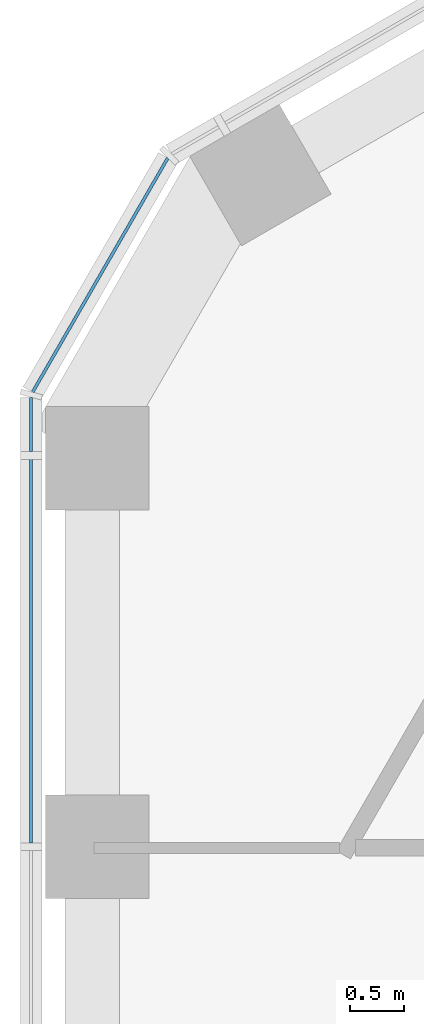
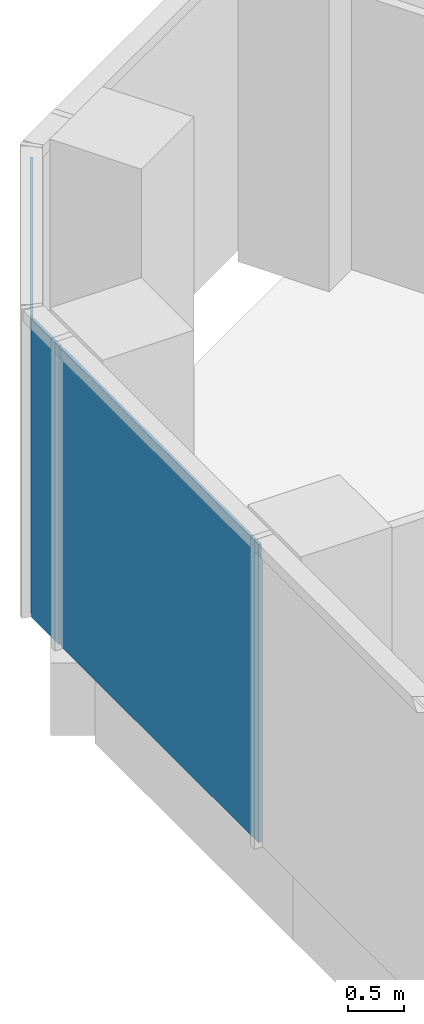
# One storey, part 10 of 18: 3 plates, 2 elements without a shape of their own.
"""IFC4 building model written with IfcOpenShell, lengths in metres."""

import ifcopenshell
import ifcopenshell.guid

model = None  # the IFC model being written
_history = None  # IfcOwnerHistory: only IFC2X3 demands one
_inside = {}  # id of a spatial element -> (the spatial element, [elements in it])
_under = {}  # id of a project, library or spatial element -> (it, [spatial elements below it])
_declared = {}  # id of a project -> (the project, [libraries it declares])
_typed = {}  # id of a type object -> (the type object, [elements of that type])
_made_of = {}  # id of a material, layer set ... -> (it, [elements and type objects made of it])


def new_model(schema):
    """Start an empty IFC model of exactly this schema.

    Asked for "IFC4X3", IfcOpenShell would pick the latest addendum, in which some entities
    have other attributes; the version numbers below select the first issue.
    IFC2X3 requires an IfcOwnerHistory on every rooted entity: one is made here for all.
    """
    global model, _history
    if schema == "IFC4X3":
        model = ifcopenshell.file(schema_version=(4, 3, 0, 0))
    else:
        model = ifcopenshell.file(schema=schema)
    _inside.clear()
    _under.clear()
    _declared.clear()
    _typed.clear()
    _made_of.clear()
    _history = None
    if model.schema == "IFC2X3":
        org = make("IfcOrganization", Name="unknown")
        user = make(
            "IfcPersonAndOrganization",
            ThePerson=make("IfcPerson", FamilyName="unknown"),
            TheOrganization=org,
        )
        app = make(
            "IfcApplication",
            ApplicationDeveloper=org,
            Version="unknown",
            ApplicationFullName="unknown",
            ApplicationIdentifier="unknown",
        )
        _history = make(
            "IfcOwnerHistory",
            OwningUser=user,
            OwningApplication=app,
            ChangeAction="ADDED",
            CreationDate=0,
        )
    return model


def make(cls, **values):
    """One entity of the class cls with the attributes given. An attribute that is None is left unset."""
    return model.create_entity(
        cls, **{name: value for name, value in values.items() if value is not None}
    )


def rooted(cls, **values):
    """An entity with a GlobalId (a new one), such as an element, a storey or a relation."""
    return make(cls, GlobalId=ifcopenshell.guid.new(), OwnerHistory=_history, **values)


def si_unit(unit_type, name, prefix=None):
    """IfcSIUnit, for example si_unit("LENGTHUNIT", "METRE", prefix="MILLI")."""
    return make("IfcSIUnit", UnitType=unit_type, Prefix=prefix, Name=name)


def assignment(units):
    """IfcUnitAssignment: the units of a project."""
    return None if units is None else make("IfcUnitAssignment", Units=units)


def point(xyz):
    """IfcCartesianPoint."""
    return None if xyz is None else make("IfcCartesianPoint", Coordinates=xyz)


def direction(xyz):
    """IfcDirection."""
    return None if xyz is None else make("IfcDirection", DirectionRatios=xyz)


def frame(location, z_axis=None, x_axis=None):
    """IfcAxis2Placement3D, a coordinate frame: its origin and axes. An axis left out is left unset."""
    return make(
        "IfcAxis2Placement3D",
        Location=point(location),
        Axis=direction(z_axis),
        RefDirection=direction(x_axis),
    )


def frame_2d(location, x_axis=None):
    """IfcAxis2Placement2D, a coordinate frame in the plane: its origin and x axis."""
    return make(
        "IfcAxis2Placement2D", Location=point(location), RefDirection=direction(x_axis)
    )


def origin():
    """The frame at (0, 0, 0) with its axes left unset."""
    return frame((0.0, 0.0, 0.0))


def origin_2d():
    """The frame at (0, 0) in the plane with its x axis left unset."""
    return frame_2d((0.0, 0.0))


def place(relative_to, where):
    """IfcLocalPlacement: puts the frame where relative to a parent placement (None: the world)."""
    return make(
        "IfcLocalPlacement", PlacementRelTo=relative_to, RelativePlacement=where
    )


def context(
    kind, dimensions, precision=None, world=None, true_north=None, identifier=None
):
    """IfcGeometricRepresentationContext, for example the 3D "Model" context."""
    return make(
        "IfcGeometricRepresentationContext",
        ContextIdentifier=identifier,
        ContextType=kind,
        CoordinateSpaceDimension=dimensions,
        Precision=precision,
        WorldCoordinateSystem=world,
        TrueNorth=true_north,
    )


def subcontext(parent, identifier, kind, view, scale=None):
    """IfcGeometricRepresentationSubContext, for example "Body" below "Model"."""
    return make(
        "IfcGeometricRepresentationSubContext",
        ContextIdentifier=identifier,
        ContextType=kind,
        ParentContext=parent,
        TargetScale=scale,
        TargetView=view,
    )


def project(units=None, contexts=None):
    """IfcProject with its units and contexts."""
    return rooted(
        "IfcProject",
        Name="project",
        RepresentationContexts=contexts,
        UnitsInContext=assignment(units),
    )


def spatial(cls, under=None, at=None, **own):
    """A site, building, storey or space (cls), placed at a placement, below another one or the project."""
    s = rooted(cls, ObjectPlacement=at, **own)
    if under is not None:
        _under.setdefault(under.id(), (under, []))[1].append(s)
    return s


def profile(cls, at=None, kind="AREA", **sizes):
    """A parametric profile (cls). Its sizes go by their IFC names, for example OverallWidth=200.0."""
    return make(cls, ProfileType=kind, Position=at, **sizes)


def rectangle(**sizes):
    """IfcRectangleProfileDef."""
    return profile("IfcRectangleProfileDef", **sizes)


def extrude(swept, where, along, depth):
    """IfcExtrudedAreaSolid: the profile swept, set in the frame where, extruded along a direction by depth."""
    return make(
        "IfcExtrudedAreaSolid",
        SweptArea=swept,
        Position=where,
        ExtrudedDirection=direction(along),
        Depth=depth,
    )


def shape(context_of_items, identifier, shape_type, items):
    """IfcShapeRepresentation: the items that make up one representation, for example the "Body"."""
    return make(
        "IfcShapeRepresentation",
        ContextOfItems=context_of_items,
        RepresentationIdentifier=identifier,
        RepresentationType=shape_type,
        Items=items,
    )


def material(Name=None, Category=None):
    """IfcMaterial."""
    return make("IfcMaterial", Name=Name, Category=Category)


def layer(
    of_material, thickness, ventilated=None, Name=None, Category=None, Priority=None
):
    """IfcMaterialLayer: one layer of a wall or slab, of a material (None: an air gap)."""
    return make(
        "IfcMaterialLayer",
        Material=of_material,
        LayerThickness=thickness,
        IsVentilated=ventilated,
        Name=Name,
        Category=Category,
        Priority=Priority,
    )


def layer_set(layers, Name=None):
    """IfcMaterialLayerSet."""
    return make("IfcMaterialLayerSet", MaterialLayers=layers, LayerSetName=Name)


def made_of(thing, what):
    """Note that an element or type object is made of a material, layer set ...; save() writes the relation."""
    if what is not None:
        _made_of.setdefault(what.id(), (what, []))[1].append(thing)
    return thing


def type_object(cls, material=None, **own):
    """A type object (cls), such as IfcWallType, which elements share."""
    return made_of(rooted(cls, **own), material)


def element(
    cls,
    number,
    at=None,
    inside=None,
    cuts=None,
    type_object=None,
    material=None,
    context=None,
    identifier="Body",
    shape_type=None,
    held_by="IfcProductDefinitionShape",
    body=None,
    shapes=None,
    **own,
):
    """One element of the class cls, such as IfcWall. Its Tag is "e" and its number.

    at: its placement. inside: the storey or other place that contains it. cuts: it is an
    opening in that element (IfcRelVoidsElement). A single representation is given by context,
    identifier, shape_type and body (its items); several are given by shapes. held_by: the class
    of the entity that holds the representations. save() writes the other relations.
    """
    e = rooted(cls, Tag="e%d" % number, ObjectPlacement=at, **own)
    if body is not None:
        shapes = [shape(context, identifier, shape_type, body)]
    if shapes is not None:
        e.Representation = make(held_by, Representations=shapes)
    if inside is not None:
        _inside.setdefault(inside.id(), (inside, []))[1].append(e)
    if cuts is not None:
        rooted(
            "IfcRelVoidsElement", RelatingBuildingElement=cuts, RelatedOpeningElement=e
        )
    if type_object is not None:
        _typed.setdefault(type_object.id(), (type_object, []))[1].append(e)
    return made_of(e, material)


def aggregate(whole, parts):
    """IfcRelAggregates: a whole, such as a stair, and the parts it consists of."""
    return rooted("IfcRelAggregates", RelatingObject=whole, RelatedObjects=parts)


def save(model, path):
    """Write the relations noted so far, then the file.

    IfcRelAggregates (storeys below a building ...), IfcRelContainedInSpatialStructure (elements
    in a storey), IfcRelDefinesByType, IfcRelAssociatesMaterial and IfcRelDeclares: one each for
    every whole, place, type object, material and project.
    """
    for whole, parts in _under.values():
        aggregate(whole, parts)
    for where, things in _inside.values():
        rooted(
            "IfcRelContainedInSpatialStructure",
            RelatedElements=things,
            RelatingStructure=where,
        )
    for kind, things in _typed.values():
        rooted("IfcRelDefinesByType", RelatedObjects=things, RelatingType=kind)
    for what, things in _made_of.values():
        rooted("IfcRelAssociatesMaterial", RelatedObjects=things, RelatingMaterial=what)
    for by, libraries in _declared.values():
        rooted("IfcRelDeclares", RelatingContext=by, RelatedDefinitions=libraries)
    model.write(path)


model = new_model("IFC4")

# Units and contexts
model_context = context("Model", 3, precision=1e-05, world=origin(), true_north=direction((0.0, 1.0)))
body_context = subcontext(model_context, "Body", "Model", "MODEL_VIEW")
ifc_project = project(units=[si_unit("LENGTHUNIT", "METRE"), si_unit("AREAUNIT", "SQUARE_METRE"), si_unit("VOLUMEUNIT", "CUBIC_METRE"), si_unit("PLANEANGLEUNIT", "RADIAN"), si_unit("MASSUNIT", "GRAM", prefix="KILO")], contexts=[model_context])

# Site, building, storey
site_placement = place(None, origin())
site = spatial("IfcSite", under=ifc_project, at=site_placement, CompositionType="ELEMENT")
building_placement = place(site_placement, origin())
building = spatial("IfcBuilding", under=site, at=building_placement, Name="Ayvan Gate Tower", CompositionType="ELEMENT")
storey_placement = place(building_placement, frame((0.0, 0.0, 166.300048828125)))
storey = spatial("IfcBuildingStorey", under=building, at=storey_placement, Name="L44", CompositionType="ELEMENT", Elevation=166.300048828125)

# Curtain wall, plate
ifc_material_1 = material(Name="Bronze anodised aluminium", Category="aluminium")
ifc_layer_1 = layer(ifc_material_1, 0.199951171875)
ifc_layer_set_1 = layer_set([ifc_layer_1], Name="Bronze anodised aluminium")
curtain_wall_type_1 = type_object("IfcCurtainWallType", Name="Stick curtain wall CW-2", PredefinedType="NOTDEFINED", material=ifc_layer_set_1)
curtain_wall_1_placement = place(storey_placement, origin())
curtain_wall_1 = element("IfcCurtainWall", 1, at=curtain_wall_1_placement, inside=storey, type_object=curtain_wall_type_1, Name="Stick curtain wall CW-2 L44", PredefinedType="NOTDEFINED")
ifc_material_2 = material(Name="Clear low-iron laminated glass", Category="glass")
ifc_layer_2 = layer(ifc_material_2, 0.028076171875)
ifc_layer_set_2 = layer_set([ifc_layer_2], Name="Clear low-iron laminated glass")
plate_type_1 = type_object("IfcPlateType", Name="Stick curtain wall CW-2 glass panel", PredefinedType="CURTAIN_PANEL", material=ifc_layer_set_2)
plate_1_placement = place(storey_placement, frame((-18.524169921875, 7.167236328125, 0.0), z_axis=(0.0, 0.0, 1.0), x_axis=(0.0, -1.0, 0.0)))
plate_1 = element("IfcPlate", 2, at=plate_1_placement, type_object=plate_type_1, Name="CW-2 glass panel 1", PredefinedType="CURTAIN_PANEL", context=body_context, shape_type="SweptSolid", body=[
    extrude(rectangle(XDim=3.556884765625, YDim=0.028076171875, at=origin_2d()), origin(), (0.0, 0.0, 1.0), 3.280029296875),
])
aggregate(curtain_wall_1, [plate_1])

# Curtain wall, plates
ifc_layer_3 = layer(ifc_material_1, 0.199951171875)
ifc_layer_set_3 = layer_set([ifc_layer_3], Name="Bronze anodised aluminium")
curtain_wall_type_2 = type_object("IfcCurtainWallType", Name="Stick curtain wall CW-6", PredefinedType="NOTDEFINED", material=ifc_layer_set_3)
curtain_wall_2_placement = place(storey_placement, origin())
curtain_wall_2 = element("IfcCurtainWall", 3, at=curtain_wall_2_placement, inside=storey, type_object=curtain_wall_type_2, Name="Stick curtain wall CW-6 L44", PredefinedType="NOTDEFINED")
ifc_layer_4 = layer(ifc_material_2, 0.028076171875)
ifc_layer_set_4 = layer_set([ifc_layer_4], Name="Clear low-iron laminated glass")
plate_type_2 = type_object("IfcPlateType", Name="Stick curtain wall CW-6 glass panel", PredefinedType="CURTAIN_PANEL", material=ifc_layer_set_4)
plate_2_placement = place(storey_placement, frame((-17.890625, 10.603271484375, 0.0), z_axis=(0.0, 0.0, 1.0), x_axis=(-0.5, -0.866025403784, 0.0)))
plate_2 = element("IfcPlate", 4, at=plate_2_placement, type_object=plate_type_2, Name="CW-6 glass panel 2", PredefinedType="CURTAIN_PANEL", context=body_context, shape_type="SweptSolid", body=[
    extrude(rectangle(XDim=2.484619140625, YDim=0.028076171875, at=origin_2d()), origin(), (0.0, 0.0, 1.0), 3.280029296875),
])
plate_3_placement = place(storey_placement, frame((-18.524169921875, 9.230712890625, 0.0), z_axis=(0.0, 0.0, 1.0), x_axis=(0.0, -1.0, 0.0)))
plate_3 = element("IfcPlate", 5, at=plate_3_placement, type_object=plate_type_2, Name="CW-6 glass panel 3", PredefinedType="CURTAIN_PANEL", context=body_context, shape_type="SweptSolid", body=[
    extrude(rectangle(XDim=0.5, YDim=0.028076171875, at=origin_2d()), origin(), (0.0, 0.0, 1.0), 3.280029296875),
])
aggregate(curtain_wall_2, [plate_2, plate_3])

save(model, "model.ifc")
